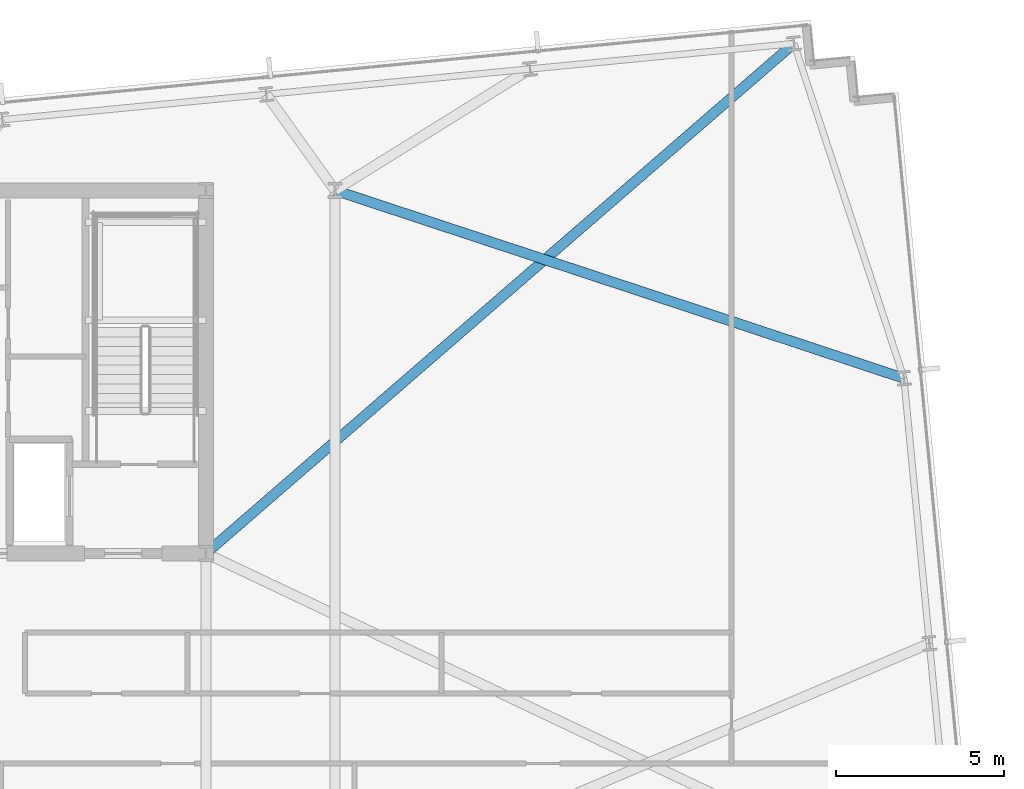
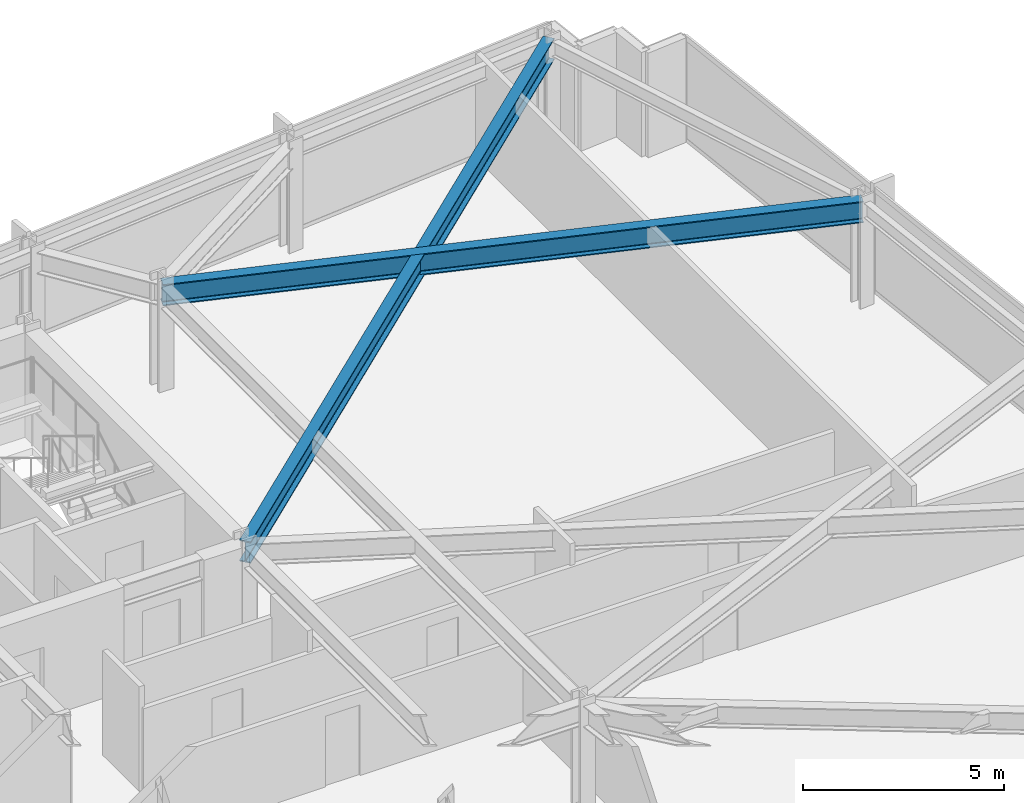
# One storey, part 22 of 32: 2 beams.
"""IFC4 building model written with IfcOpenShell, lengths in metres."""

from ifc_helpers import new_model, si_unit, direction, frame, origin, origin_2d, place, context, subcontext, project, spatial, i_section, extrude, material, material_profile, profile_set, type_object, element, save


model = new_model("IFC4")

# Units and contexts
model_context = context("Model", 3, precision=1e-05, world=origin(), true_north=direction((0.0, 1.0)))
body_context = subcontext(model_context, "Body", "Model", "MODEL_VIEW")
ifc_project = project(units=[si_unit("LENGTHUNIT", "METRE"), si_unit("AREAUNIT", "SQUARE_METRE"), si_unit("VOLUMEUNIT", "CUBIC_METRE"), si_unit("PLANEANGLEUNIT", "RADIAN"), si_unit("MASSUNIT", "GRAM", prefix="KILO")], contexts=[model_context])

# Site, building, storey
site_placement = place(None, origin())
site = spatial("IfcSite", under=ifc_project, at=site_placement, CompositionType="ELEMENT")
building_placement = place(site_placement, origin())
building = spatial("IfcBuilding", under=site, at=building_placement, Name="Yelkora Congress Tower", CompositionType="ELEMENT")
storey_placement = place(building_placement, frame((0.0, 0.0, 120.300048828125)))
storey = spatial("IfcBuildingStorey", under=building, at=storey_placement, Name="L32", CompositionType="ELEMENT", Elevation=120.300048828125)

# Beams
ifc_material = material(Name="Steel S355J2", Category="steel")
ifc_material_profile = material_profile(ifc_material, i_section(OverallWidth=0.300048828125, OverallDepth=0.64990234375, WebThickness=0.01611328125, FlangeThickness=0.031005859375, FilletRadius=0.027099609375, at=origin_2d()), Name="HEB 650")
ifc_profile_set = profile_set([ifc_material_profile], Name="Steel S355J2")
beam_type = type_object("IfcBeamType", Name="BM-GIRD-HEB650", PredefinedType="BEAM", material=ifc_profile_set)
beam_1_placement = place(storey_placement, frame((71.252685546875, 50.568115234375, 2.85498046875), z_axis=(-0.755520317406, -0.655125217029, 0.0), x_axis=(0.655125217029, -0.755520317406, 0.0)))
element("IfcBeam", 1, at=beam_1_placement, inside=storey, type_object=beam_type, Name="L32 Primary Frame Girder N08", PredefinedType="BEAM", context=body_context, shape_type="SweptSolid", body=[
    extrude(i_section(OverallWidth=0.300048828125, OverallDepth=0.64990234375, WebThickness=0.01611328125, FlangeThickness=0.031005859375, FilletRadius=0.027099609375, at=origin_2d()), origin(), (0.0, 0.0, 1.0), 23.153076171875),
])
beam_2_placement = place(storey_placement, frame((74.522216796875, 40.610595703125, 2.85498046875), z_axis=(-0.949544183597, 0.313633294465, 0.0), x_axis=(-0.313633294465, -0.949544183597, 0.0)))
element("IfcBeam", 2, at=beam_2_placement, inside=storey, type_object=beam_type, Name="L32 Primary Frame Girder E03", PredefinedType="BEAM", context=body_context, shape_type="SweptSolid", body=[
    extrude(i_section(OverallWidth=0.300048828125, OverallDepth=0.64990234375, WebThickness=0.01611328125, FlangeThickness=0.031005859375, FilletRadius=0.027099609375, at=origin_2d()), origin(), (0.0, 0.0, 1.0), 17.8212890625),
])

save(model, "model.ifc")
